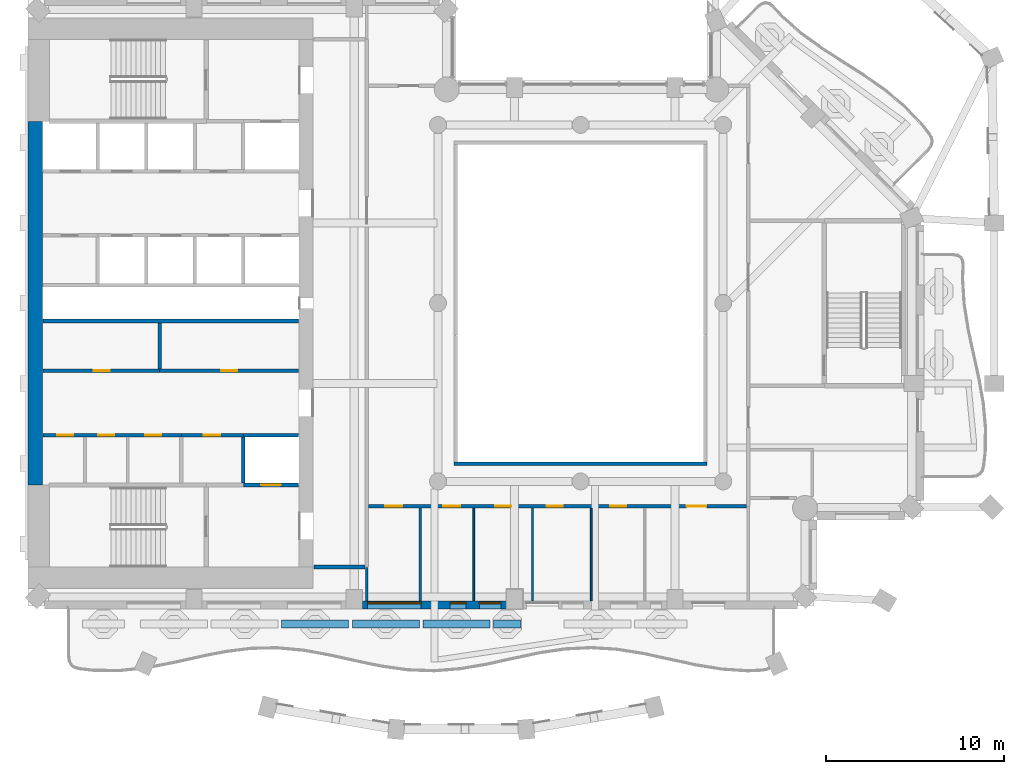
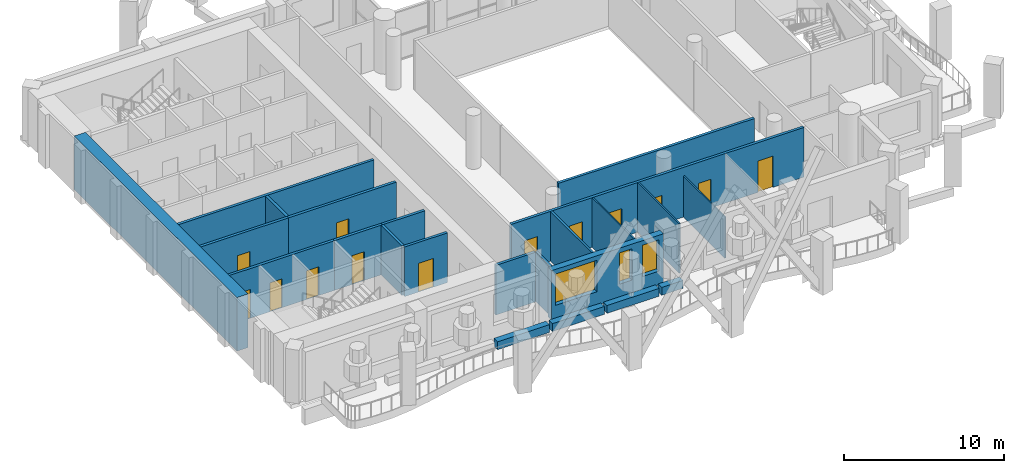
# One storey, part 4 of 16: 23 walls, 13 doors, 3 windows, 16 openings.
"""IFC4 building model written with IfcOpenShell, lengths in metres."""

import ifcopenshell
import ifcopenshell.guid

model = None  # the IFC model being written
_history = None  # IfcOwnerHistory: only IFC2X3 demands one
_inside = {}  # id of a spatial element -> (the spatial element, [elements in it])
_under = {}  # id of a project, library or spatial element -> (it, [spatial elements below it])
_declared = {}  # id of a project -> (the project, [libraries it declares])
_typed = {}  # id of a type object -> (the type object, [elements of that type])
_made_of = {}  # id of a material, layer set ... -> (it, [elements and type objects made of it])


def new_model(schema):
    """Start an empty IFC model of exactly this schema.

    Asked for "IFC4X3", IfcOpenShell would pick the latest addendum, in which some entities
    have other attributes; the version numbers below select the first issue.
    IFC2X3 requires an IfcOwnerHistory on every rooted entity: one is made here for all.
    """
    global model, _history
    if schema == "IFC4X3":
        model = ifcopenshell.file(schema_version=(4, 3, 0, 0))
    else:
        model = ifcopenshell.file(schema=schema)
    _inside.clear()
    _under.clear()
    _declared.clear()
    _typed.clear()
    _made_of.clear()
    _history = None
    if model.schema == "IFC2X3":
        org = make("IfcOrganization", Name="unknown")
        user = make(
            "IfcPersonAndOrganization",
            ThePerson=make("IfcPerson", FamilyName="unknown"),
            TheOrganization=org,
        )
        app = make(
            "IfcApplication",
            ApplicationDeveloper=org,
            Version="unknown",
            ApplicationFullName="unknown",
            ApplicationIdentifier="unknown",
        )
        _history = make(
            "IfcOwnerHistory",
            OwningUser=user,
            OwningApplication=app,
            ChangeAction="ADDED",
            CreationDate=0,
        )
    return model


def make(cls, **values):
    """One entity of the class cls with the attributes given. An attribute that is None is left unset."""
    return model.create_entity(
        cls, **{name: value for name, value in values.items() if value is not None}
    )


def rooted(cls, **values):
    """An entity with a GlobalId (a new one), such as an element, a storey or a relation."""
    return make(cls, GlobalId=ifcopenshell.guid.new(), OwnerHistory=_history, **values)


def si_unit(unit_type, name, prefix=None):
    """IfcSIUnit, for example si_unit("LENGTHUNIT", "METRE", prefix="MILLI")."""
    return make("IfcSIUnit", UnitType=unit_type, Prefix=prefix, Name=name)


def assignment(units):
    """IfcUnitAssignment: the units of a project."""
    return None if units is None else make("IfcUnitAssignment", Units=units)


def point(xyz):
    """IfcCartesianPoint."""
    return None if xyz is None else make("IfcCartesianPoint", Coordinates=xyz)


def direction(xyz):
    """IfcDirection."""
    return None if xyz is None else make("IfcDirection", DirectionRatios=xyz)


def frame(location, z_axis=None, x_axis=None):
    """IfcAxis2Placement3D, a coordinate frame: its origin and axes. An axis left out is left unset."""
    return make(
        "IfcAxis2Placement3D",
        Location=point(location),
        Axis=direction(z_axis),
        RefDirection=direction(x_axis),
    )


def frame_2d(location, x_axis=None):
    """IfcAxis2Placement2D, a coordinate frame in the plane: its origin and x axis."""
    return make(
        "IfcAxis2Placement2D", Location=point(location), RefDirection=direction(x_axis)
    )


def origin():
    """The frame at (0, 0, 0) with its axes left unset."""
    return frame((0.0, 0.0, 0.0))


def place(relative_to, where):
    """IfcLocalPlacement: puts the frame where relative to a parent placement (None: the world)."""
    return make(
        "IfcLocalPlacement", PlacementRelTo=relative_to, RelativePlacement=where
    )


def context(
    kind, dimensions, precision=None, world=None, true_north=None, identifier=None
):
    """IfcGeometricRepresentationContext, for example the 3D "Model" context."""
    return make(
        "IfcGeometricRepresentationContext",
        ContextIdentifier=identifier,
        ContextType=kind,
        CoordinateSpaceDimension=dimensions,
        Precision=precision,
        WorldCoordinateSystem=world,
        TrueNorth=true_north,
    )


def subcontext(parent, identifier, kind, view, scale=None):
    """IfcGeometricRepresentationSubContext, for example "Body" below "Model"."""
    return make(
        "IfcGeometricRepresentationSubContext",
        ContextIdentifier=identifier,
        ContextType=kind,
        ParentContext=parent,
        TargetScale=scale,
        TargetView=view,
    )


def project(units=None, contexts=None):
    """IfcProject with its units and contexts."""
    return rooted(
        "IfcProject",
        Name="project",
        RepresentationContexts=contexts,
        UnitsInContext=assignment(units),
    )


def spatial(cls, under=None, at=None, **own):
    """A site, building, storey or space (cls), placed at a placement, below another one or the project."""
    s = rooted(cls, ObjectPlacement=at, **own)
    if under is not None:
        _under.setdefault(under.id(), (under, []))[1].append(s)
    return s


def profile(cls, at=None, kind="AREA", **sizes):
    """A parametric profile (cls). Its sizes go by their IFC names, for example OverallWidth=200.0."""
    return make(cls, ProfileType=kind, Position=at, **sizes)


def rectangle(**sizes):
    """IfcRectangleProfileDef."""
    return profile("IfcRectangleProfileDef", **sizes)


def extrude(swept, where, along, depth):
    """IfcExtrudedAreaSolid: the profile swept, set in the frame where, extruded along a direction by depth."""
    return make(
        "IfcExtrudedAreaSolid",
        SweptArea=swept,
        Position=where,
        ExtrudedDirection=direction(along),
        Depth=depth,
    )


def shape(context_of_items, identifier, shape_type, items):
    """IfcShapeRepresentation: the items that make up one representation, for example the "Body"."""
    return make(
        "IfcShapeRepresentation",
        ContextOfItems=context_of_items,
        RepresentationIdentifier=identifier,
        RepresentationType=shape_type,
        Items=items,
    )


def material(Name=None, Category=None):
    """IfcMaterial."""
    return make("IfcMaterial", Name=Name, Category=Category)


def layer(
    of_material, thickness, ventilated=None, Name=None, Category=None, Priority=None
):
    """IfcMaterialLayer: one layer of a wall or slab, of a material (None: an air gap)."""
    return make(
        "IfcMaterialLayer",
        Material=of_material,
        LayerThickness=thickness,
        IsVentilated=ventilated,
        Name=Name,
        Category=Category,
        Priority=Priority,
    )


def layer_set(layers, Name=None):
    """IfcMaterialLayerSet."""
    return make("IfcMaterialLayerSet", MaterialLayers=layers, LayerSetName=Name)


def made_of(thing, what):
    """Note that an element or type object is made of a material, layer set ...; save() writes the relation."""
    if what is not None:
        _made_of.setdefault(what.id(), (what, []))[1].append(thing)
    return thing


def type_object(cls, material=None, **own):
    """A type object (cls), such as IfcWallType, which elements share."""
    return made_of(rooted(cls, **own), material)


def element(
    cls,
    number,
    at=None,
    inside=None,
    cuts=None,
    type_object=None,
    material=None,
    context=None,
    identifier="Body",
    shape_type=None,
    held_by="IfcProductDefinitionShape",
    body=None,
    shapes=None,
    **own,
):
    """One element of the class cls, such as IfcWall. Its Tag is "e" and its number.

    at: its placement. inside: the storey or other place that contains it. cuts: it is an
    opening in that element (IfcRelVoidsElement). A single representation is given by context,
    identifier, shape_type and body (its items); several are given by shapes. held_by: the class
    of the entity that holds the representations. save() writes the other relations.
    """
    e = rooted(cls, Tag="e%d" % number, ObjectPlacement=at, **own)
    if body is not None:
        shapes = [shape(context, identifier, shape_type, body)]
    if shapes is not None:
        e.Representation = make(held_by, Representations=shapes)
    if inside is not None:
        _inside.setdefault(inside.id(), (inside, []))[1].append(e)
    if cuts is not None:
        rooted(
            "IfcRelVoidsElement", RelatingBuildingElement=cuts, RelatedOpeningElement=e
        )
    if type_object is not None:
        _typed.setdefault(type_object.id(), (type_object, []))[1].append(e)
    return made_of(e, material)


def fill(opening, filler):
    """IfcRelFillsElement: the door or window that sits in an opening."""
    return rooted(
        "IfcRelFillsElement",
        RelatingOpeningElement=opening,
        RelatedBuildingElement=filler,
    )


def aggregate(whole, parts):
    """IfcRelAggregates: a whole, such as a stair, and the parts it consists of."""
    return rooted("IfcRelAggregates", RelatingObject=whole, RelatedObjects=parts)


def save(model, path):
    """Write the relations noted so far, then the file.

    IfcRelAggregates (storeys below a building ...), IfcRelContainedInSpatialStructure (elements
    in a storey), IfcRelDefinesByType, IfcRelAssociatesMaterial and IfcRelDeclares: one each for
    every whole, place, type object, material and project.
    """
    for whole, parts in _under.values():
        aggregate(whole, parts)
    for where, things in _inside.values():
        rooted(
            "IfcRelContainedInSpatialStructure",
            RelatedElements=things,
            RelatingStructure=where,
        )
    for kind, things in _typed.values():
        rooted("IfcRelDefinesByType", RelatedObjects=things, RelatingType=kind)
    for what, things in _made_of.values():
        rooted("IfcRelAssociatesMaterial", RelatedObjects=things, RelatingMaterial=what)
    for by, libraries in _declared.values():
        rooted("IfcRelDeclares", RelatingContext=by, RelatedDefinitions=libraries)
    model.write(path)


model = new_model("IFC4")

# Units and contexts
model_context = context("Model", 3, precision=1e-05, world=origin(), true_north=direction((0.0, 1.0)))
body_context = subcontext(model_context, "Body", "Model", "MODEL_VIEW")
ifc_project = project(units=[si_unit("LENGTHUNIT", "METRE"), si_unit("AREAUNIT", "SQUARE_METRE"), si_unit("VOLUMEUNIT", "CUBIC_METRE"), si_unit("PLANEANGLEUNIT", "RADIAN"), si_unit("MASSUNIT", "GRAM", prefix="KILO")], contexts=[model_context])

# Site, building, storey
site_placement = place(None, origin())
site = spatial("IfcSite", under=ifc_project, at=site_placement, CompositionType="ELEMENT")
building_placement = place(site_placement, origin())
building = spatial("IfcBuilding", under=site, at=building_placement, Name="Cypress Arch Tower", CompositionType="ELEMENT")
storey_placement = place(building_placement, frame((0.0, 0.0, 168.699951171875)))
storey = spatial("IfcBuildingStorey", under=building, at=storey_placement, Name="L36", CompositionType="ELEMENT", Elevation=168.699951171875)

# Walls
ifc_material_1 = material(Name="Concrete C40/50, waterproofed", Category="concrete")
ifc_layer_1 = layer(ifc_material_1, 0.449951171875)
ifc_layer_set_1 = layer_set([ifc_layer_1], Name="Balcony planter wall PW450")
wall_type_1 = type_object("IfcWallType", Name="Balcony planter wall PW450", PredefinedType="SOLIDWALL", material=ifc_layer_set_1)
for number, where, z_axis, x_axis, name in (
    (1, (-15.77001953125, -18.0, 0.0), (0.0, 0.0, 1.0), (1.0, 0.0, 0.0), "Balcony planter wall L36-B01.4"),
    (2, (-11.81005859375, -18.0, 0.0), (0.0, 0.0, 1.0), (1.0, 0.0, 0.0), "Balcony planter wall L36-B01.5"),
    (3, (-7.85009765625, -18.0, 0.0), (0.0, 0.0, 1.0), (1.0, 0.0, 0.0), "Balcony planter wall L36-B01.6"),
):
    element("IfcWall", number, at=place(storey_placement, frame(where, z_axis=z_axis, x_axis=x_axis)), inside=storey, type_object=wall_type_1, Name=name, PredefinedType="SOLIDWALL", context=body_context, shape_type="SweptSolid", body=[
        extrude(rectangle(XDim=3.760009765625, YDim=0.449951171875, at=frame_2d((1.8798828125, 0.0))), origin(), (0.0, 0.0, 1.0), 0.60009765625),
    ])
wall_1_placement = place(storey_placement, frame((-3.889892578125, -18.0, 0.0), z_axis=(0.0, 0.0, 1.0), x_axis=(1.0, 0.0, 0.0)))
element("IfcWall", 4, at=wall_1_placement, inside=storey, type_object=wall_type_1, Name="Balcony planter wall L36-B01.7", PredefinedType="SOLIDWALL", context=body_context, shape_type="SweptSolid", body=[
    extrude(rectangle(XDim=1.539794921875, YDim=0.449951171875, at=frame_2d((0.77001953125, 0.0))), origin(), (0.0, 0.0, 1.0), 0.60009765625),
])

# Wall, openings, windows
ifc_material_2 = material(Name="Brick (red buff blend)", Category="masonry")
ifc_layer_2 = layer(ifc_material_2, 0.449951171875)
ifc_layer_set_2 = layer_set([ifc_layer_2], Name="Brick pier and spandrel wall BW450")
wall_type_2 = type_object("IfcWallType", Name="Brick pier and spandrel wall BW450", PredefinedType="SOLIDWALL", material=ifc_layer_set_2)
wall_2_placement = place(storey_placement, frame((-11.25, -16.925048828125, 0.0), z_axis=(0.0, 0.0, 1.0), x_axis=(1.0, 0.0, 0.0)))
wall_2 = element("IfcWall", 5, at=wall_2_placement, inside=storey, type_object=wall_type_2, Name="Brick wall L36 B01.2", PredefinedType="SOLIDWALL", context=body_context, shape_type="SweptSolid", body=[
    extrude(rectangle(XDim=8.10009765625, YDim=0.449951171875, at=frame_2d((4.050048828125, 0.0))), origin(), (0.0, 0.0, 1.0), 3.800048828125),
])
opening_1_placement = place(wall_2_placement, frame((0.300048828125, 0.0, 1.050048828125)))
opening_1 = element("IfcOpeningElement", 6, at=opening_1_placement, cuts=wall_2, Name="Opening W300OD", PredefinedType="OPENING", context=body_context, shape_type="SweptSolid", body=[
    extrude(rectangle(XDim=3.0, YDim=2.39990234375, at=frame_2d((1.5, 1.199951171875))), frame((0.0, 0.23486328125, 0.0), z_axis=(0.0, -1.0, 0.0), x_axis=(1.0, 0.0, 0.0)), (0.0, 0.0, 1.0), 0.469970703125),
])
opening_2_placement = place(wall_2_placement, frame((4.925048828125, 0.0, 1.050048828125)))
opening_2 = element("IfcOpeningElement", 7, at=opening_2_placement, cuts=wall_2, Name="Opening W090OD", PredefinedType="OPENING", context=body_context, shape_type="SweptSolid", body=[
    extrude(rectangle(XDim=0.89990234375, YDim=2.39990234375, at=frame_2d((0.449951171875, 1.199951171875))), frame((0.0, 0.23486328125, 0.0), z_axis=(0.0, -1.0, 0.0), x_axis=(1.0, 0.0, 0.0)), (0.0, 0.0, 1.0), 0.469970703125),
])
opening_3_placement = place(wall_2_placement, frame((6.574951171875, 0.0, 1.050048828125)))
opening_3 = element("IfcOpeningElement", 8, at=opening_3_placement, cuts=wall_2, Name="Opening W120OD", PredefinedType="OPENING", context=body_context, shape_type="SweptSolid", body=[
    extrude(rectangle(XDim=1.199951171875, YDim=2.39990234375, at=frame_2d((0.60009765625, 1.199951171875))), frame((0.0, 0.23486328125, 0.0), z_axis=(0.0, -1.0, 0.0), x_axis=(1.0, 0.0, 0.0)), (0.0, 0.0, 1.0), 0.469970703125),
])
ifc_material_3 = material(Name="Anodised aluminium, bronze finish, laminated low-emissivity double glazing, large-missile impact rated", Category="aluminium")
window_type_1 = type_object("IfcWindowType", Name="Window Office 1200x2400 debris-rated", PartitioningType="SINGLE_PANEL", PredefinedType="WINDOW", material=ifc_material_3)
window_1_placement = place(opening_3_placement, origin())
window_1 = element("IfcWindow", 9, at=window_1_placement, inside=storey, type_object=window_type_1, Name="Window L36 B01.2.2b", OverallHeight=2.39990234375, OverallWidth=1.199951171875, PartitioningType="SINGLE_PANEL", PredefinedType="WINDOW", context=body_context, shape_type="SweptSolid", body=[
    extrude(rectangle(XDim=1.199951171875, YDim=2.39990234375, at=frame_2d((0.60009765625, 1.199951171875))), frame((0.0, 0.135009765625, 0.0), z_axis=(0.0, -1.0, 0.0), x_axis=(1.0, 0.0, 0.0)), (0.0, 0.0, 1.0), 0.06005859375),
])
fill(opening_3, window_1)
ifc_material_4 = material(Name="Anodised aluminium, bronze finish, laminated low-emissivity double glazing, large-missile impact rated", Category="aluminium")
window_type_2 = type_object("IfcWindowType", Name="Window Office 3000x2400 debris-rated", PartitioningType="SINGLE_PANEL", PredefinedType="WINDOW", material=ifc_material_4)
window_2_placement = place(opening_1_placement, origin())
window_2 = element("IfcWindow", 10, at=window_2_placement, inside=storey, type_object=window_type_2, Name="Window L36 B01.2.1", OverallHeight=2.39990234375, OverallWidth=3.0, PartitioningType="SINGLE_PANEL", PredefinedType="WINDOW", context=body_context, shape_type="SweptSolid", body=[
    extrude(rectangle(XDim=3.0, YDim=2.39990234375, at=frame_2d((1.5, 1.199951171875))), frame((0.0, 0.135009765625, 0.0), z_axis=(0.0, -1.0, 0.0), x_axis=(1.0, 0.0, 0.0)), (0.0, 0.0, 1.0), 0.06005859375),
])
fill(opening_1, window_2)
ifc_material_5 = material(Name="Anodised aluminium, bronze finish, laminated low-emissivity double glazing, large-missile impact rated", Category="aluminium")
window_type_3 = type_object("IfcWindowType", Name="Window Office 900x2400 debris-rated", PartitioningType="SINGLE_PANEL", PredefinedType="WINDOW", material=ifc_material_5)
window_3_placement = place(opening_2_placement, origin())
window_3 = element("IfcWindow", 11, at=window_3_placement, inside=storey, type_object=window_type_3, Name="Window L36 B01.2.2", OverallHeight=2.39990234375, OverallWidth=0.89990234375, PartitioningType="SINGLE_PANEL", PredefinedType="WINDOW", context=body_context, shape_type="SweptSolid", body=[
    extrude(rectangle(XDim=0.89990234375, YDim=2.39990234375, at=frame_2d((0.449951171875, 1.199951171875))), frame((0.0, 0.135009765625, 0.0), z_axis=(0.0, -1.0, 0.0), x_axis=(1.0, 0.0, 0.0)), (0.0, 0.0, 1.0), 0.06005859375),
])
fill(opening_2, window_3)

# Wall
ifc_material_6 = material(Name="Concrete C70/85", Category="concrete")
ifc_layer_3 = layer(ifc_material_6, 0.800048828125)
ifc_layer_set_3 = layer_set([ifc_layer_3], Name="Core wall CW800 C70/85")
wall_type_3 = type_object("IfcWallType", Name="Core wall CW800 C70/85", PredefinedType="SHEAR", material=ifc_layer_set_3)
wall_3_placement = place(storey_placement, frame((-29.60009765625, -10.199951171875, 0.0), z_axis=(0.0, 0.0, 1.0), x_axis=(0.0, 1.0, 0.0)))
element("IfcWall", 12, at=wall_3_placement, inside=storey, type_object=wall_type_3, Name="Core wall", PredefinedType="SHEAR", context=body_context, shape_type="SweptSolid", body=[
    extrude(rectangle(XDim=20.39990234375, YDim=0.800048828125, at=frame_2d((10.199951171875, 0.0))), origin(), (0.0, 0.0, 1.0), 4.10009765625),
])

# Wall, openings, doors
ifc_material_7 = material(Name="Concrete blockwork, plastered, rated", Category="masonry")
ifc_layer_4 = layer(ifc_material_7, 0.199951171875)
ifc_layer_set_4 = layer_set([ifc_layer_4], Name="Corridor wall FW200")
wall_type_4 = type_object("IfcWallType", Name="Corridor wall FW200", PredefinedType="PARTITIONING", material=ifc_layer_set_4)
wall_4_placement = place(storey_placement, frame((-29.169921875, -7.39990234375, 0.0), z_axis=(0.0, 0.0, 1.0), x_axis=(1.0, 0.0, 0.0)))
wall_4 = element("IfcWall", 13, at=wall_4_placement, inside=storey, type_object=wall_type_4, Name="Corridor wall", PredefinedType="PARTITIONING", context=body_context, shape_type="SweptSolid", body=[
    extrude(rectangle(XDim=7.7900390625, YDim=0.199951171875, at=frame_2d((3.89501953125, 0.0))), origin(), (0.0, 0.0, 1.0), 3.800048828125),
])
opening_4_placement = place(wall_4_placement, frame((0.800048828125, 0.0, 0.0)))
opening_4 = element("IfcOpeningElement", 14, at=opening_4_placement, cuts=wall_4, Name="Opening D05", PredefinedType="OPENING", context=body_context, shape_type="SweptSolid", body=[
    extrude(rectangle(XDim=0.89990234375, YDim=2.199951171875, at=frame_2d((0.449951171875, 1.10009765625))), frame((0.0, 0.10986328125, 0.0), z_axis=(0.0, -1.0, 0.0), x_axis=(1.0, 0.0, 0.0)), (0.0, 0.0, 1.0), 0.219970703125),
])
opening_5_placement = place(wall_4_placement, frame((3.10009765625, 0.0, 0.0)))
opening_5 = element("IfcOpeningElement", 15, at=opening_5_placement, cuts=wall_4, Name="Opening D05", PredefinedType="OPENING", context=body_context, shape_type="SweptSolid", body=[
    extrude(rectangle(XDim=0.89990234375, YDim=2.199951171875, at=frame_2d((0.449951171875, 1.10009765625))), frame((0.0, 0.10986328125, 0.0), z_axis=(0.0, -1.0, 0.0), x_axis=(1.0, 0.0, 0.0)), (0.0, 0.0, 1.0), 0.219970703125),
])
opening_6_placement = place(wall_4_placement, frame((5.75, 0.0, 0.0)))
opening_6 = element("IfcOpeningElement", 16, at=opening_6_placement, cuts=wall_4, Name="Opening D05", PredefinedType="OPENING", context=body_context, shape_type="SweptSolid", body=[
    extrude(rectangle(XDim=0.89990234375, YDim=2.199951171875, at=frame_2d((0.449951171875, 1.10009765625))), frame((0.0, 0.10986328125, 0.0), z_axis=(0.0, -1.0, 0.0), x_axis=(1.0, 0.0, 0.0)), (0.0, 0.0, 1.0), 0.219970703125),
])
ifc_material_8 = material(Name="Timber flush door", Category="wood")
door_type_1 = type_object("IfcDoorType", Name="Service door D05 900x2200", OperationType="SINGLE_SWING_LEFT", PredefinedType="DOOR", material=ifc_material_8)
door_1_placement = place(opening_4_placement, origin())
door_1 = element("IfcDoor", 17, at=door_1_placement, inside=storey, type_object=door_type_1, Name="Service door", OperationType="SINGLE_SWING_LEFT", OverallHeight=2.199951171875, OverallWidth=0.89990234375, PredefinedType="DOOR", context=body_context, shape_type="SweptSolid", body=[
    extrude(rectangle(XDim=0.89990234375, YDim=2.199951171875, at=frame_2d((0.449951171875, 1.10009765625))), frame((0.0, 0.02490234375, 0.0), z_axis=(0.0, -1.0, 0.0), x_axis=(1.0, 0.0, 0.0)), (0.0, 0.0, 1.0), 0.050048828125),
])
fill(opening_4, door_1)
door_2_placement = place(opening_5_placement, origin())
door_2 = element("IfcDoor", 18, at=door_2_placement, inside=storey, type_object=door_type_1, Name="Service door", OperationType="SINGLE_SWING_RIGHT", OverallHeight=2.199951171875, OverallWidth=0.89990234375, PredefinedType="DOOR", context=body_context, shape_type="SweptSolid", body=[
    extrude(rectangle(XDim=0.89990234375, YDim=2.199951171875, at=frame_2d((0.449951171875, 1.10009765625))), frame((0.0, 0.02490234375, 0.0), z_axis=(0.0, -1.0, 0.0), x_axis=(1.0, 0.0, 0.0)), (0.0, 0.0, 1.0), 0.050048828125),
])
fill(opening_5, door_2)
door_3_placement = place(opening_6_placement, origin())
door_3 = element("IfcDoor", 19, at=door_3_placement, inside=storey, type_object=door_type_1, Name="Service door", OperationType="SINGLE_SWING_RIGHT", OverallHeight=2.199951171875, OverallWidth=0.89990234375, PredefinedType="DOOR", context=body_context, shape_type="SweptSolid", body=[
    extrude(rectangle(XDim=0.89990234375, YDim=2.199951171875, at=frame_2d((0.449951171875, 1.10009765625))), frame((0.0, 0.02490234375, 0.0), z_axis=(0.0, -1.0, 0.0), x_axis=(1.0, 0.0, 0.0)), (0.0, 0.0, 1.0), 0.050048828125),
])
fill(opening_6, door_3)

# Wall, opening, door
wall_5_placement = place(storey_placement, frame((-22.6201171875, -3.800048828125, 0.0), z_axis=(0.0, 0.0, 1.0), x_axis=(1.0, 0.0, 0.0)))
wall_5 = element("IfcWall", 20, at=wall_5_placement, inside=storey, type_object=wall_type_4, Name="Corridor wall", PredefinedType="PARTITIONING", context=body_context, shape_type="SweptSolid", body=[
    extrude(rectangle(XDim=7.7900390625, YDim=0.199951171875, at=frame_2d((3.89501953125, 0.0))), origin(), (0.0, 0.0, 1.0), 3.800048828125),
])
opening_7_placement = place(wall_5_placement, frame((3.449951171875, 0.0, 0.0)))
opening_7 = element("IfcOpeningElement", 21, at=opening_7_placement, cuts=wall_5, Name="Opening D05", PredefinedType="OPENING", context=body_context, shape_type="SweptSolid", body=[
    extrude(rectangle(XDim=0.89990234375, YDim=2.199951171875, at=frame_2d((0.449951171875, 1.10009765625))), frame((0.0, 0.10986328125, 0.0), z_axis=(0.0, -1.0, 0.0), x_axis=(1.0, 0.0, 0.0)), (0.0, 0.0, 1.0), 0.219970703125),
])
door_4_placement = place(opening_7_placement, origin())
door_4 = element("IfcDoor", 22, at=door_4_placement, inside=storey, type_object=door_type_1, Name="Service door", OperationType="SINGLE_SWING_RIGHT", OverallHeight=2.199951171875, OverallWidth=0.89990234375, PredefinedType="DOOR", context=body_context, shape_type="SweptSolid", body=[
    extrude(rectangle(XDim=0.89990234375, YDim=2.199951171875, at=frame_2d((0.449951171875, 1.10009765625))), frame((0.0, 0.02490234375, 0.0), z_axis=(0.0, -1.0, 0.0), x_axis=(1.0, 0.0, 0.0)), (0.0, 0.0, 1.0), 0.050048828125),
])
fill(opening_7, door_4)

# Wall
wall_6_placement = place(storey_placement, frame((-13.969970703125, -14.800048828125, 0.0), z_axis=(0.0, 0.0, 1.0), x_axis=(1.0, 0.0, 0.0)))
element("IfcWall", 23, at=wall_6_placement, inside=storey, type_object=wall_type_4, Name="Corridor wall", PredefinedType="PARTITIONING", context=body_context, shape_type="SweptSolid", body=[
    extrude(rectangle(XDim=2.869873046875, YDim=0.199951171875, at=frame_2d((1.43505859375, 0.0))), origin(), (0.0, 0.0, 1.0), 3.800048828125),
])

# Wall, openings, doors
wall_7_placement = place(storey_placement, frame((-10.89990234375, -11.39990234375, 0.0), z_axis=(0.0, 0.0, 1.0), x_axis=(1.0, 0.0, 0.0)))
wall_7 = element("IfcWall", 24, at=wall_7_placement, inside=storey, type_object=wall_type_4, Name="Corridor wall", PredefinedType="PARTITIONING", context=body_context, shape_type="SweptSolid", body=[
    extrude(rectangle(XDim=21.199951171875, YDim=0.199951171875, at=frame_2d((10.60009765625, 0.0))), origin(), (0.0, 0.0, 1.0), 3.800048828125),
])
opening_8_placement = place(wall_7_placement, frame((0.949951171875, 0.0, 0.0)))
opening_8 = element("IfcOpeningElement", 25, at=opening_8_placement, cuts=wall_7, Name="Opening D02", PredefinedType="OPENING", context=body_context, shape_type="SweptSolid", body=[
    extrude(rectangle(XDim=0.949951171875, YDim=2.199951171875, at=frame_2d((0.47509765625, 1.10009765625))), frame((0.0, 0.10986328125, 0.0), z_axis=(0.0, -1.0, 0.0), x_axis=(1.0, 0.0, 0.0)), (0.0, 0.0, 1.0), 0.219970703125),
])
opening_9_placement = place(wall_7_placement, frame((4.199951171875, 0.0, 0.0)))
opening_9 = element("IfcOpeningElement", 26, at=opening_9_placement, cuts=wall_7, Name="Opening D02", PredefinedType="OPENING", context=body_context, shape_type="SweptSolid", body=[
    extrude(rectangle(XDim=0.949951171875, YDim=2.199951171875, at=frame_2d((0.47509765625, 1.10009765625))), frame((0.0, 0.10986328125, 0.0), z_axis=(0.0, -1.0, 0.0), x_axis=(1.0, 0.0, 0.0)), (0.0, 0.0, 1.0), 0.219970703125),
])
opening_10_placement = place(wall_7_placement, frame((7.10009765625, 0.0, 0.0)))
opening_10 = element("IfcOpeningElement", 27, at=opening_10_placement, cuts=wall_7, Name="Opening D03", PredefinedType="OPENING", context=body_context, shape_type="SweptSolid", body=[
    extrude(rectangle(XDim=0.89990234375, YDim=2.199951171875, at=frame_2d((0.449951171875, 1.10009765625))), frame((0.0, 0.10986328125, 0.0), z_axis=(0.0, -1.0, 0.0), x_axis=(1.0, 0.0, 0.0)), (0.0, 0.0, 1.0), 0.219970703125),
])
opening_11_placement = place(wall_7_placement, frame((10.0, 0.0, 0.0)))
opening_11 = element("IfcOpeningElement", 28, at=opening_11_placement, cuts=wall_7, Name="Opening D03", PredefinedType="OPENING", context=body_context, shape_type="SweptSolid", body=[
    extrude(rectangle(XDim=0.89990234375, YDim=2.199951171875, at=frame_2d((0.449951171875, 1.10009765625))), frame((0.0, 0.10986328125, 0.0), z_axis=(0.0, -1.0, 0.0), x_axis=(1.0, 0.0, 0.0)), (0.0, 0.0, 1.0), 0.219970703125),
])
opening_12_placement = place(wall_7_placement, frame((13.550048828125, 0.0, 0.0)))
opening_12 = element("IfcOpeningElement", 29, at=opening_12_placement, cuts=wall_7, Name="Opening D03", PredefinedType="OPENING", context=body_context, shape_type="SweptSolid", body=[
    extrude(rectangle(XDim=0.89990234375, YDim=2.199951171875, at=frame_2d((0.449951171875, 1.10009765625))), frame((0.0, 0.10986328125, 0.0), z_axis=(0.0, -1.0, 0.0), x_axis=(1.0, 0.0, 0.0)), (0.0, 0.0, 1.0), 0.219970703125),
])
opening_13_placement = place(wall_7_placement, frame((17.85009765625, 0.0, 0.0)))
opening_13 = element("IfcOpeningElement", 30, at=opening_13_placement, cuts=wall_7, Name="Opening D01", PredefinedType="OPENING", context=body_context, shape_type="SweptSolid", body=[
    extrude(rectangle(XDim=1.10009765625, YDim=2.39990234375, at=frame_2d((0.550048828125, 1.199951171875))), frame((0.0, 0.10986328125, 0.0), z_axis=(0.0, -1.0, 0.0), x_axis=(1.0, 0.0, 0.0)), (0.0, 0.0, 1.0), 0.219970703125),
])
ifc_material_9 = material(Name="Timber flush door, moisture resistant", Category="wood")
door_type_2 = type_object("IfcDoorType", Name="Bathroom door D03 900x2200", OperationType="SINGLE_SWING_LEFT", PredefinedType="DOOR", material=ifc_material_9)
door_5_placement = place(opening_10_placement, origin())
door_5 = element("IfcDoor", 31, at=door_5_placement, inside=storey, type_object=door_type_2, Name="Bathroom door", OperationType="SINGLE_SWING_RIGHT", OverallHeight=2.199951171875, OverallWidth=0.89990234375, PredefinedType="DOOR", context=body_context, shape_type="SweptSolid", body=[
    extrude(rectangle(XDim=0.89990234375, YDim=2.199951171875, at=frame_2d((0.449951171875, 1.10009765625))), frame((0.0, 0.02490234375, 0.0), z_axis=(0.0, -1.0, 0.0), x_axis=(1.0, 0.0, 0.0)), (0.0, 0.0, 1.0), 0.050048828125),
])
fill(opening_10, door_5)
door_6_placement = place(opening_11_placement, origin())
door_6 = element("IfcDoor", 32, at=door_6_placement, inside=storey, type_object=door_type_2, Name="Bathroom door", OperationType="SINGLE_SWING_RIGHT", OverallHeight=2.199951171875, OverallWidth=0.89990234375, PredefinedType="DOOR", context=body_context, shape_type="SweptSolid", body=[
    extrude(rectangle(XDim=0.89990234375, YDim=2.199951171875, at=frame_2d((0.449951171875, 1.10009765625))), frame((0.0, 0.02490234375, 0.0), z_axis=(0.0, -1.0, 0.0), x_axis=(1.0, 0.0, 0.0)), (0.0, 0.0, 1.0), 0.050048828125),
])
fill(opening_11, door_6)
door_7_placement = place(opening_12_placement, origin())
door_7 = element("IfcDoor", 33, at=door_7_placement, inside=storey, type_object=door_type_2, Name="Bathroom door", OperationType="SINGLE_SWING_RIGHT", OverallHeight=2.199951171875, OverallWidth=0.89990234375, PredefinedType="DOOR", context=body_context, shape_type="SweptSolid", body=[
    extrude(rectangle(XDim=0.89990234375, YDim=2.199951171875, at=frame_2d((0.449951171875, 1.10009765625))), frame((0.0, 0.02490234375, 0.0), z_axis=(0.0, -1.0, 0.0), x_axis=(1.0, 0.0, 0.0)), (0.0, 0.0, 1.0), 0.050048828125),
])
fill(opening_12, door_7)
ifc_material_10 = material(Name="Timber flush door, fire resisting", Category="wood")
door_type_3 = type_object("IfcDoorType", Name="Room door D02 950x2200", OperationType="SINGLE_SWING_LEFT", PredefinedType="DOOR", material=ifc_material_10)
door_8_placement = place(opening_8_placement, origin())
door_8 = element("IfcDoor", 34, at=door_8_placement, inside=storey, type_object=door_type_3, Name="Room door", OperationType="SINGLE_SWING_LEFT", OverallHeight=2.199951171875, OverallWidth=0.949951171875, PredefinedType="DOOR", context=body_context, shape_type="SweptSolid", body=[
    extrude(rectangle(XDim=0.949951171875, YDim=2.199951171875, at=frame_2d((0.47509765625, 1.10009765625))), frame((0.0, 0.02490234375, 0.0), z_axis=(0.0, -1.0, 0.0), x_axis=(1.0, 0.0, 0.0)), (0.0, 0.0, 1.0), 0.050048828125),
])
fill(opening_8, door_8)
door_9_placement = place(opening_9_placement, origin())
door_9 = element("IfcDoor", 35, at=door_9_placement, inside=storey, type_object=door_type_3, Name="Room door", OperationType="SINGLE_SWING_LEFT", OverallHeight=2.199951171875, OverallWidth=0.949951171875, PredefinedType="DOOR", context=body_context, shape_type="SweptSolid", body=[
    extrude(rectangle(XDim=0.949951171875, YDim=2.199951171875, at=frame_2d((0.47509765625, 1.10009765625))), frame((0.0, 0.02490234375, 0.0), z_axis=(0.0, -1.0, 0.0), x_axis=(1.0, 0.0, 0.0)), (0.0, 0.0, 1.0), 0.050048828125),
])
fill(opening_9, door_9)
ifc_material_11 = material(Name="Timber flush door, fire resisting, self-closing", Category="wood")
door_type_4 = type_object("IfcDoorType", Name="Unit entrance door D01 1100x2400", OperationType="SINGLE_SWING_LEFT", PredefinedType="DOOR", material=ifc_material_11)
door_10_placement = place(opening_13_placement, origin())
door_10 = element("IfcDoor", 36, at=door_10_placement, inside=storey, type_object=door_type_4, Name="Unit entrance door", OperationType="SINGLE_SWING_LEFT", OverallHeight=2.39990234375, OverallWidth=1.10009765625, PredefinedType="DOOR", context=body_context, shape_type="SweptSolid", body=[
    extrude(rectangle(XDim=1.10009765625, YDim=2.39990234375, at=frame_2d((0.550048828125, 1.199951171875))), frame((0.0, 0.02490234375, 0.0), z_axis=(0.0, -1.0, 0.0), x_axis=(1.0, 0.0, 0.0)), (0.0, 0.0, 1.0), 0.050048828125),
])
fill(opening_13, door_10)

# Walls
wall_8_placement = place(storey_placement, frame((-6.10009765625, -9.0, 0.0), z_axis=(0.0, 0.0, 1.0), x_axis=(1.0, 0.0, 0.0)))
element("IfcWall", 37, at=wall_8_placement, inside=storey, type_object=wall_type_4, Name="Corridor wall", PredefinedType="PARTITIONING", context=body_context, shape_type="SweptSolid", body=[
    extrude(rectangle(XDim=14.2001953125, YDim=0.199951171875, at=frame_2d((7.10009765625, 0.0))), origin(), (0.0, 0.0, 1.0), 3.800048828125),
])
ifc_material_12 = material(Name="Blockwork, plastered both sides", Category="masonry")
ifc_layer_5 = layer(ifc_material_12, 0.14990234375)
ifc_layer_set_5 = layer_set([ifc_layer_5], Name="Partition PW150")
wall_type_5 = type_object("IfcWallType", Name="Partition PW150", PredefinedType="PARTITIONING", material=ifc_layer_set_5)
wall_9_placement = place(storey_placement, frame((-11.0, -16.699951171875, 0.0), z_axis=(0.0, 0.0, 1.0), x_axis=(0.0, 1.0, 0.0)))
element("IfcWall", 38, at=wall_9_placement, inside=storey, type_object=wall_type_5, Name="Partition", PredefinedType="PARTITIONING", context=body_context, shape_type="SweptSolid", body=[
    extrude(rectangle(XDim=1.8798828125, YDim=0.14990234375, at=frame_2d((0.93994140625, 0.0))), origin(), (0.0, 0.0, 1.0), 3.800048828125),
])
wall_10_placement = place(storey_placement, frame((-8.0, -16.699951171875, 0.0), z_axis=(0.0, 0.0, 1.0), x_axis=(0.0, 1.0, 0.0)))
element("IfcWall", 39, at=wall_10_placement, inside=storey, type_object=wall_type_5, Name="Partition", PredefinedType="PARTITIONING", context=body_context, shape_type="SweptSolid", body=[
    extrude(rectangle(XDim=5.199951171875, YDim=0.14990234375, at=frame_2d((2.60009765625, 0.0))), origin(), (0.0, 0.0, 1.0), 3.800048828125),
])

# Wall, opening, door
ifc_material_13 = material(Name="Reinforced blockwork, plastered, rated", Category="masonry")
ifc_layer_6 = layer(ifc_material_13, 0.199951171875)
ifc_layer_set_6 = layer_set([ifc_layer_6], Name="Plant and riser wall PL200")
wall_type_6 = type_object("IfcWallType", Name="Plant and riser wall PL200", PredefinedType="PARTITIONING", material=ifc_layer_set_6)
wall_11_placement = place(storey_placement, frame((-29.169921875, -3.800048828125, 0.0), z_axis=(0.0, 0.0, 1.0), x_axis=(1.0, 0.0, 0.0)))
wall_11 = element("IfcWall", 40, at=wall_11_placement, inside=storey, type_object=wall_type_6, Name="Plant and riser wall", PredefinedType="PARTITIONING", context=body_context, shape_type="SweptSolid", body=[
    extrude(rectangle(XDim=6.5498046875, YDim=0.199951171875, at=frame_2d((3.27490234375, 0.0))), origin(), (0.0, 0.0, 1.0), 3.800048828125),
])
opening_14_placement = place(wall_11_placement, frame((2.85009765625, 0.0, 0.0)))
opening_14 = element("IfcOpeningElement", 41, at=opening_14_placement, cuts=wall_11, Name="Opening D05", PredefinedType="OPENING", context=body_context, shape_type="SweptSolid", body=[
    extrude(rectangle(XDim=0.89990234375, YDim=2.199951171875, at=frame_2d((0.449951171875, 1.10009765625))), frame((0.0, 0.10986328125, 0.0), z_axis=(0.0, -1.0, 0.0), x_axis=(1.0, 0.0, 0.0)), (0.0, 0.0, 1.0), 0.219970703125),
])
door_11_placement = place(opening_14_placement, origin())
door_11 = element("IfcDoor", 42, at=door_11_placement, inside=storey, type_object=door_type_1, Name="Service door", OperationType="SINGLE_SWING_RIGHT", OverallHeight=2.199951171875, OverallWidth=0.89990234375, PredefinedType="DOOR", context=body_context, shape_type="SweptSolid", body=[
    extrude(rectangle(XDim=0.89990234375, YDim=2.199951171875, at=frame_2d((0.449951171875, 1.10009765625))), frame((0.0, 0.02490234375, 0.0), z_axis=(0.0, -1.0, 0.0), x_axis=(1.0, 0.0, 0.0)), (0.0, 0.0, 1.0), 0.050048828125),
])
fill(opening_14, door_11)

# Walls
wall_12_placement = place(storey_placement, frame((-29.169921875, -1.0, 0.0), z_axis=(0.0, 0.0, 1.0), x_axis=(1.0, 0.0, 0.0)))
element("IfcWall", 43, at=wall_12_placement, inside=storey, type_object=wall_type_6, Name="Plant and riser wall", PredefinedType="PARTITIONING", context=body_context, shape_type="SweptSolid", body=[
    extrude(rectangle(XDim=14.33984375, YDim=0.199951171875, at=frame_2d((7.169921875, 0.0))), origin(), (0.0, 0.0, 1.0), 3.800048828125),
])
wall_13_placement = place(storey_placement, frame((-22.60009765625, -3.699951171875, 0.0), z_axis=(0.0, 0.0, 1.0), x_axis=(0.0, 1.0, 0.0)))
element("IfcWall", 44, at=wall_13_placement, inside=storey, type_object=wall_type_6, Name="Plant and riser wall", PredefinedType="PARTITIONING", context=body_context, shape_type="SweptSolid", body=[
    extrude(rectangle(XDim=2.599853515625, YDim=0.199951171875, at=frame_2d((1.2998046875, 0.0))), origin(), (0.0, 0.0, 1.0), 3.800048828125),
])

# Wall, opening, door
wall_14_placement = place(storey_placement, frame((-21.3798828125, -7.39990234375, 0.0), z_axis=(0.0, 0.0, 1.0), x_axis=(1.0, 0.0, 0.0)))
wall_14 = element("IfcWall", 45, at=wall_14_placement, inside=storey, type_object=wall_type_6, Name="Plant and riser wall", PredefinedType="PARTITIONING", context=body_context, shape_type="SweptSolid", body=[
    extrude(rectangle(XDim=3.47998046875, YDim=0.199951171875, at=frame_2d((1.739990234375, 0.0))), origin(), (0.0, 0.0, 1.0), 3.800048828125),
])
opening_15_placement = place(wall_14_placement, frame((1.25, 0.0, 0.0)))
opening_15 = element("IfcOpeningElement", 46, at=opening_15_placement, cuts=wall_14, Name="Opening D05", PredefinedType="OPENING", context=body_context, shape_type="SweptSolid", body=[
    extrude(rectangle(XDim=0.89990234375, YDim=2.199951171875, at=frame_2d((0.449951171875, 1.10009765625))), frame((0.0, 0.10986328125, 0.0), z_axis=(0.0, -1.0, 0.0), x_axis=(1.0, 0.0, 0.0)), (0.0, 0.0, 1.0), 0.219970703125),
])
door_12_placement = place(opening_15_placement, origin())
door_12 = element("IfcDoor", 47, at=door_12_placement, inside=storey, type_object=door_type_1, Name="Service door", OperationType="SINGLE_SWING_RIGHT", OverallHeight=2.199951171875, OverallWidth=0.89990234375, PredefinedType="DOOR", context=body_context, shape_type="SweptSolid", body=[
    extrude(rectangle(XDim=0.89990234375, YDim=2.199951171875, at=frame_2d((0.449951171875, 1.10009765625))), frame((0.0, 0.02490234375, 0.0), z_axis=(0.0, -1.0, 0.0), x_axis=(1.0, 0.0, 0.0)), (0.0, 0.0, 1.0), 0.050048828125),
])
fill(opening_15, door_12)

# Wall
ifc_material_14 = material(Name="Concrete C50/60", Category="concrete")
ifc_layer_7 = layer(ifc_material_14, 0.199951171875)
ifc_layer_set_7 = layer_set([ifc_layer_7], Name="Shaft wall SH200")
wall_type_7 = type_object("IfcWallType", Name="Shaft wall SH200", PredefinedType="SHEAR", material=ifc_layer_set_7)
wall_15_placement = place(storey_placement, frame((-17.919921875, -10.10009765625, 0.0), z_axis=(0.0, 0.0, 1.0), x_axis=(0.0, 1.0, 0.0)))
element("IfcWall", 48, at=wall_15_placement, inside=storey, type_object=wall_type_7, Name="Shaft wall", PredefinedType="SHEAR", context=body_context, shape_type="SweptSolid", body=[
    extrude(rectangle(XDim=2.60009765625, YDim=0.199951171875, at=frame_2d((1.300048828125, 0.0))), origin(), (0.0, 0.0, 1.0), 3.800048828125),
])

# Wall, opening, door
wall_16_placement = place(storey_placement, frame((-17.919921875, -10.199951171875, 0.0), z_axis=(0.0, 0.0, 1.0), x_axis=(1.0, 0.0, 0.0)))
wall_16 = element("IfcWall", 49, at=wall_16_placement, inside=storey, type_object=wall_type_7, Name="Shaft wall", PredefinedType="SHEAR", context=body_context, shape_type="SweptSolid", body=[
    extrude(rectangle(XDim=3.08984375, YDim=0.199951171875, at=frame_2d((1.544921875, 0.0))), origin(), (0.0, 0.0, 1.0), 3.800048828125),
])
opening_16_placement = place(wall_16_placement, frame((1.0, 0.0, 0.0)))
opening_16 = element("IfcOpeningElement", 50, at=opening_16_placement, cuts=wall_16, Name="Opening LD-FL1", PredefinedType="OPENING", context=body_context, shape_type="SweptSolid", body=[
    extrude(rectangle(XDim=1.10009765625, YDim=2.199951171875, at=frame_2d((0.550048828125, 1.10009765625))), frame((0.0, 0.10986328125, 0.0), z_axis=(0.0, -1.0, 0.0), x_axis=(1.0, 0.0, 0.0)), (0.0, 0.0, 1.0), 0.219970703125),
])
ifc_material_15 = material(Name="Stainless steel centre-opening landing door, rated", Category="steel")
door_type_5 = type_object("IfcDoorType", Name="Lift landing door LD 1100x2200", OperationType="DOUBLE_DOOR_SLIDING", PredefinedType="DOOR", material=ifc_material_15)
door_13_placement = place(opening_16_placement, origin())
door_13 = element("IfcDoor", 51, at=door_13_placement, inside=storey, type_object=door_type_5, Name="Lift landing doors FL1", OperationType="DOUBLE_DOOR_SLIDING", OverallHeight=2.199951171875, OverallWidth=1.10009765625, PredefinedType="DOOR", context=body_context, shape_type="SweptSolid", body=[
    extrude(rectangle(XDim=1.10009765625, YDim=2.199951171875, at=frame_2d((0.550048828125, 1.10009765625))), frame((0.0, 0.02490234375, 0.0), z_axis=(0.0, -1.0, 0.0), x_axis=(1.0, 0.0, 0.0)), (0.0, 0.0, 1.0), 0.050048828125),
])
fill(opening_16, door_13)

# Walls
wall_17_placement = place(storey_placement, frame((-17.89990234375, -7.39990234375, 0.0), z_axis=(0.0, 0.0, 1.0), x_axis=(1.0, 0.0, 0.0)))
element("IfcWall", 52, at=wall_17_placement, inside=storey, type_object=wall_type_7, Name="Shaft wall", PredefinedType="SHEAR", context=body_context, shape_type="SweptSolid", body=[
    extrude(rectangle(XDim=3.06982421875, YDim=0.199951171875, at=frame_2d((1.534912109375, 0.0))), origin(), (0.0, 0.0, 1.0), 3.800048828125),
])
ifc_material_16 = material(Name="Moisture resistant board on steel studs, tiled", Category="steel")
ifc_layer_8 = layer(ifc_material_16, 0.10009765625)
ifc_layer_set_8 = layer_set([ifc_layer_8], Name="Wet wall PW100")
wall_type_8 = type_object("IfcWallType", Name="Wet wall PW100", PredefinedType="PARTITIONING", material=ifc_layer_set_8)
for number, where, z_axis, x_axis, name in (
    (53, (-5.0, -16.699951171875, 0.0), (0.0, 0.0, 1.0), (0.0, 1.0, 0.0), "Wet wall"),
    (54, (-1.698974609375, -16.699951171875, 0.0), (0.0, 0.0, 1.0), (0.0, 1.0, 0.0), "Wet wall"),
):
    element("IfcWall", number, at=place(storey_placement, frame(where, z_axis=z_axis, x_axis=x_axis)), inside=storey, type_object=wall_type_8, Name=name, PredefinedType="PARTITIONING", context=body_context, shape_type="SweptSolid", body=[
        extrude(rectangle(XDim=5.199951171875, YDim=0.10009765625, at=frame_2d((2.60009765625, 0.0))), origin(), (0.0, 0.0, 1.0), 3.800048828125),
    ])
wall_18_placement = place(storey_placement, frame((1.60107421875, -16.699951171875, 0.0), z_axis=(0.0, 0.0, 1.0), x_axis=(0.0, 1.0, 0.0)))
element("IfcWall", 55, at=wall_18_placement, inside=storey, type_object=wall_type_8, Name="Wet wall", PredefinedType="PARTITIONING", context=body_context, shape_type="SweptSolid", body=[
    extrude(rectangle(XDim=5.199951171875, YDim=0.10009765625, at=frame_2d((2.60009765625, 0.0))), origin(), (0.0, 0.0, 1.0), 3.150146484375),
])

save(model, "model.ifc")
